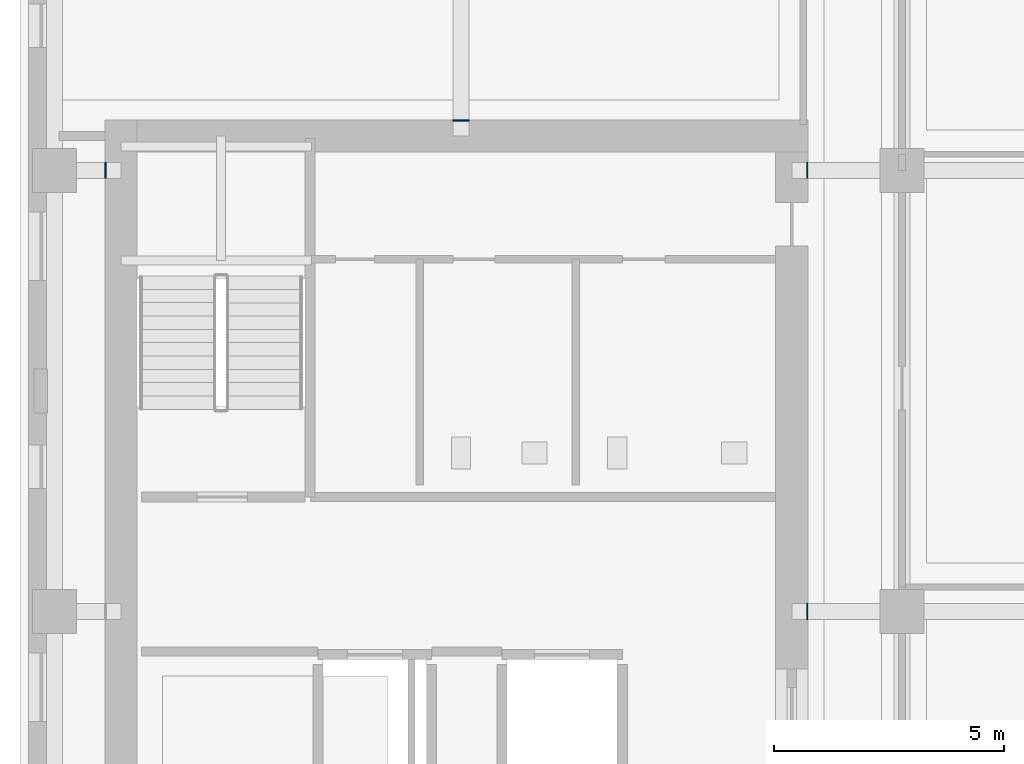
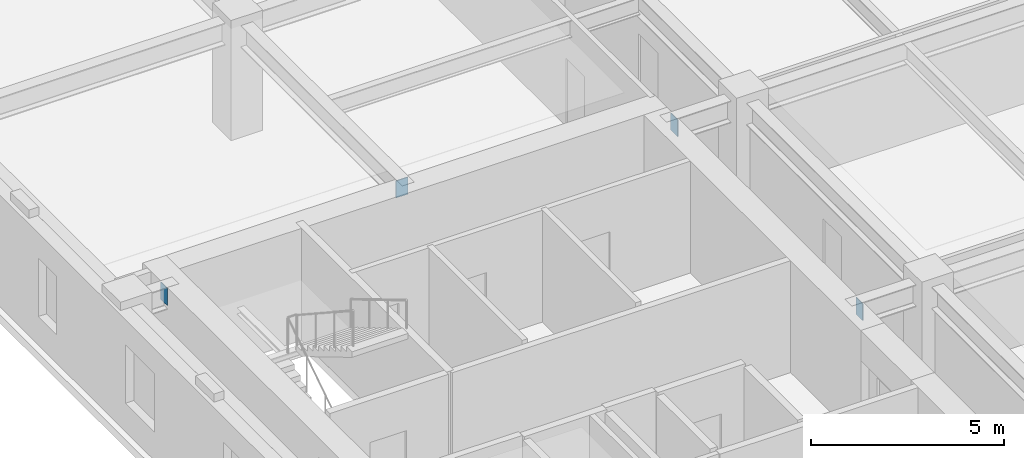
# One storey, part 10 of 16: 4 discrete accessories.
"""IFC4 building model written with IfcOpenShell, lengths in metres."""

from ifc_helpers import new_model, si_unit, direction, frame, origin, origin_2d, place, context, subcontext, project, spatial, rectangle, extrude, material, layer, layer_set, type_object, element, save


model = new_model("IFC4")

# Units and contexts
model_context = context("Model", 3, precision=1e-05, world=origin(), true_north=direction((0.0, 1.0)))
body_context = subcontext(model_context, "Body", "Model", "MODEL_VIEW")
ifc_project = project(units=[si_unit("LENGTHUNIT", "METRE"), si_unit("AREAUNIT", "SQUARE_METRE"), si_unit("VOLUMEUNIT", "CUBIC_METRE"), si_unit("PLANEANGLEUNIT", "RADIAN"), si_unit("MASSUNIT", "GRAM", prefix="KILO")], contexts=[model_context])

# Site, building, storey
site_placement = place(None, origin())
site = spatial("IfcSite", under=ifc_project, at=site_placement, CompositionType="ELEMENT")
building_placement = place(site_placement, origin())
building = spatial("IfcBuilding", under=site, at=building_placement, Name="Norrvale University Quadrangle", CompositionType="ELEMENT")
storey_placement = place(building_placement, frame((0.0, 0.0, 167.39990234375)))
storey = spatial("IfcBuildingStorey", under=building, at=storey_placement, Name="L42", CompositionType="ELEMENT", Elevation=167.39990234375)

# Discrete accessories
ifc_material = material(Name="Steel 350W", Category="steel")
ifc_layer = layer(ifc_material, 0.02490234375, Name="Steel 350W")
ifc_layer_set = layer_set([ifc_layer], Name="Steel 350W")
discrete_accessory_type = type_object("IfcDiscreteAccessoryType", Name="Accessory Cast In Embed Plate", PredefinedType="ANCHORPLATE", material=ifc_layer_set)
for number, where, z_axis, x_axis, name in (
    (1, (17.137451171875, 37.64990234375, 2.9599609375), (0.0, 0.0, 1.0), (1.0, 0.0, 0.0), "Core Wall Cast-in Embed Plate L42-GCE067"),
    (2, (1.862548828125, 47.25, 2.9599609375), (0.0, 0.0, 1.0), (1.0, 0.0, 0.0), "Core Wall Cast-in Embed Plate L42-GCW068"),
    (3, (17.137451171875, 47.25, 2.9599609375), (0.0, 0.0, 1.0), (1.0, 0.0, 0.0), "Core Wall Cast-in Embed Plate L42-GCE069"),
):
    element("IfcDiscreteAccessory", number, at=place(storey_placement, frame(where, z_axis=z_axis, x_axis=x_axis)), inside=storey, type_object=discrete_accessory_type, Name=name, PredefinedType="ANCHORPLATE", context=body_context, shape_type="SweptSolid", body=[
        extrude(rectangle(XDim=0.02490234375, YDim=0.35009765625, at=origin_2d()), origin(), (0.0, 0.0, 1.0), 0.5400390625),
    ])
discrete_accessory_placement = place(storey_placement, frame((9.60009765625, 48.33740234375, 2.9599609375), z_axis=(0.0, 0.0, 1.0), x_axis=(1.0, 0.0, 0.0)))
element("IfcDiscreteAccessory", 4, at=discrete_accessory_placement, inside=storey, type_object=discrete_accessory_type, Name="Core Wall Cast-in Embed Plate L42-GCN090", PredefinedType="ANCHORPLATE", context=body_context, shape_type="SweptSolid", body=[
    extrude(rectangle(XDim=0.35009765625, YDim=0.02490234375, at=origin_2d()), origin(), (0.0, 0.0, 1.0), 0.5400390625),
])

save(model, "model.ifc")
